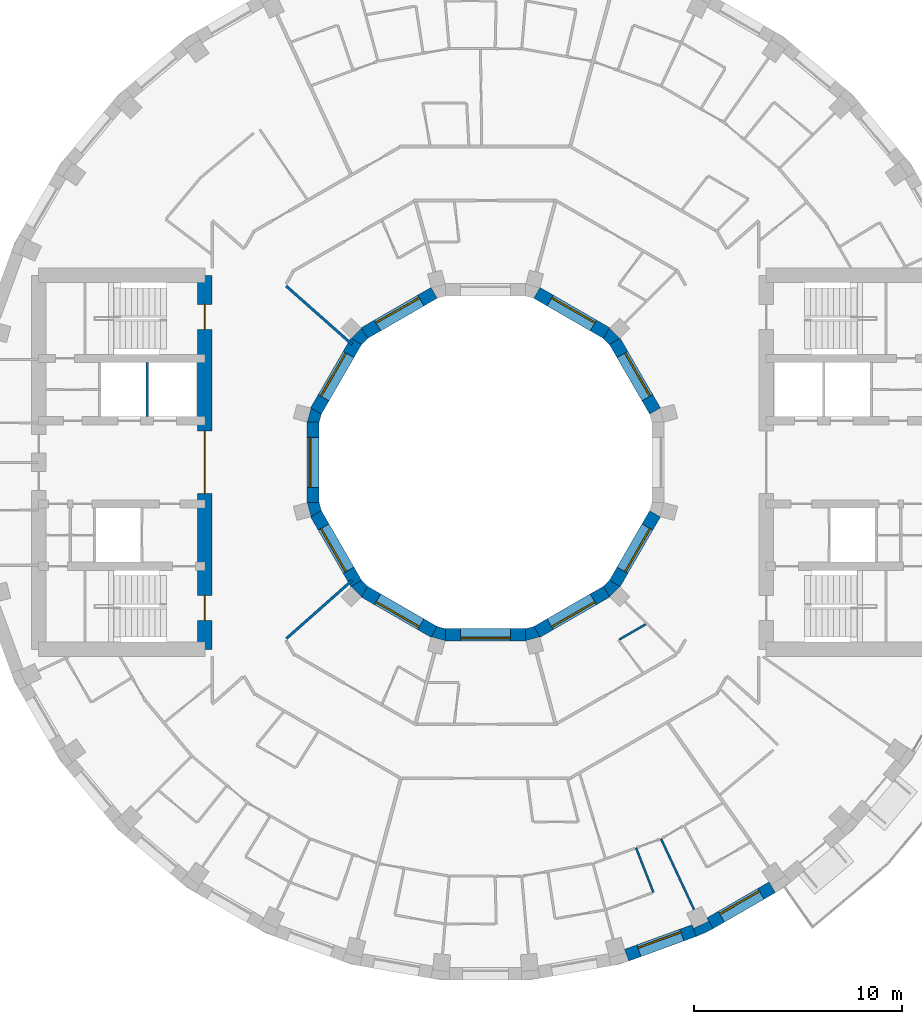
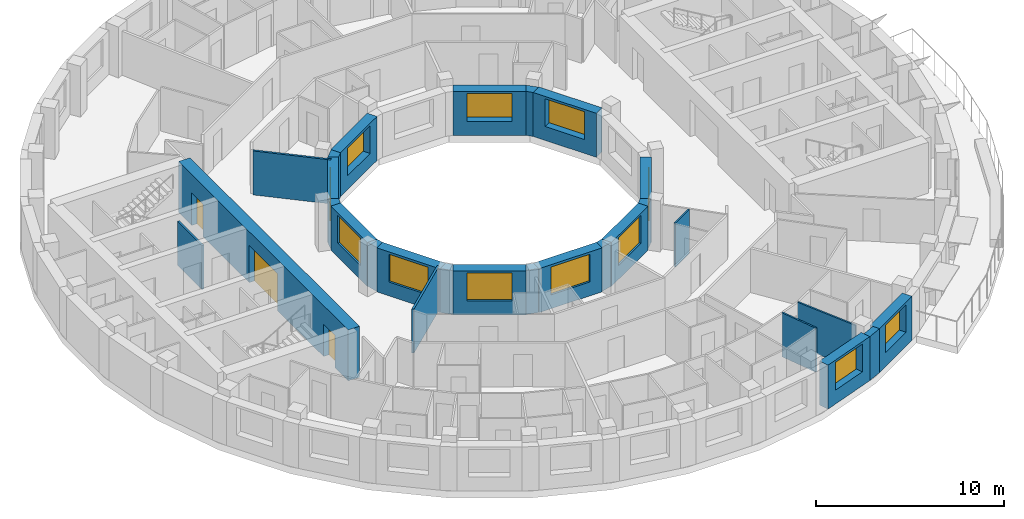
# One storey, part 7 of 14: 28 walls, 12 windows, 3 doors, 15 openings.
"""IFC4 building model written with IfcOpenShell, lengths in metres."""

from ifc_helpers import new_model, si_unit, direction, frame, frame_2d, origin, place, context, subcontext, project, spatial, polyline, rectangle, outline, extrude, material, layer, layer_set, type_object, element, fill, save


model = new_model("IFC4")

# Units and contexts
model_context = context("Model", 3, precision=1e-05, world=origin(), true_north=direction((0.0, 1.0)))
body_context = subcontext(model_context, "Body", "Model", "MODEL_VIEW")
ifc_project = project(units=[si_unit("LENGTHUNIT", "METRE"), si_unit("AREAUNIT", "SQUARE_METRE"), si_unit("VOLUMEUNIT", "CUBIC_METRE"), si_unit("PLANEANGLEUNIT", "RADIAN"), si_unit("MASSUNIT", "GRAM", prefix="KILO")], contexts=[model_context])

# Site, building, storey
site_placement = place(None, origin())
site = spatial("IfcSite", under=ifc_project, at=site_placement, CompositionType="ELEMENT")
building_placement = place(site_placement, origin())
building = spatial("IfcBuilding", under=site, at=building_placement, Name="Saqina Gate Tower", CompositionType="ELEMENT")
storey_placement = place(building_placement, frame((0.0, 0.0, 177.300048828125)))
storey = spatial("IfcBuildingStorey", under=building, at=storey_placement, Name="L50", CompositionType="ELEMENT", Elevation=177.300048828125)

# Wall
ifc_material_1 = material(Name="Brick masonry (buff)", Category="masonry")
wall_type_1 = type_object("IfcWallType", Name="BRICK PIER COPING BUFF", PredefinedType="SOLIDWALL", material=ifc_material_1)
wall_1_placement = place(storey_placement, origin())
element("IfcWall", 1, at=wall_1_placement, inside=storey, type_object=wall_type_1, Name="Pier cap L50 column 30", PredefinedType="SOLIDWALL", context=body_context, shape_type="SweptSolid", body=[
    extrude(outline(polyline([(10.958740234375, -22.4306640625), (10.65869140625, -21.9111328125), (10.73779296875, -22.080810546875), (10.0126953125, -22.4189453125), (9.93359375, -22.249267578125), (10.138916015625, -22.81298828125), (10.958740234375, -22.4306640625)])), origin(), (0.0, 0.0, 1.0), 2.849853515625),
])

# Wall, opening, window
ifc_material_2 = material(Name="Brick masonry (buff)", Category="masonry")
ifc_layer_1 = layer(ifc_material_2, 0.60009765625)
ifc_layer_set_1 = layer_set([ifc_layer_1], Name="FW-BRICK-BUFF")
wall_type_2 = type_object("IfcWallType", Name="FW-BRICK-BUFF", PredefinedType="SOLIDWALL", material=ifc_layer_set_1)
wall_2_placement = place(storey_placement, frame((6.79443359375, -23.7109375, 0.0), z_axis=(0.0, 0.0, 1.0), x_axis=(0.93968799822, 0.342032843455, 0.0)))
wall_2 = element("IfcWall", 2, at=wall_2_placement, inside=storey, type_object=wall_type_2, Name="Facade wall L50 facet 29", PredefinedType="SOLIDWALL", context=body_context, shape_type="SweptSolid", body=[
    extrude(rectangle(XDim=3.44970703125, YDim=0.60009765625, at=frame_2d((1.724853515625, 0.0))), origin(), (0.0, 0.0, 1.0), 2.849853515625),
])
opening_1_placement = place(wall_2_placement, frame((0.625, 0.0, 0.89990234375)))
opening_1 = element("IfcOpeningElement", 3, at=opening_1_placement, cuts=wall_2, Name="Opening G14-W22", PredefinedType="OPENING", context=body_context, shape_type="SweptSolid", body=[
    extrude(rectangle(XDim=2.199951171875, YDim=1.800048828125, at=frame_2d((1.10009765625, 0.89990234375))), frame((0.0, 0.31201171875, 0.0), z_axis=(0.0, -1.0, 0.0), x_axis=(1.0, 0.0, 0.0)), (0.0, 0.0, 1.0), 0.6240234375),
])
ifc_material_3 = material(Name="Aluminium glazing", Category="aluminium")
window_type_1 = type_object("IfcWindowType", Name="WN-C", PartitioningType="SINGLE_PANEL", PredefinedType="WINDOW", material=ifc_material_3)
window_1_placement = place(opening_1_placement, origin())
window_1 = element("IfcWindow", 4, at=window_1_placement, inside=storey, type_object=window_type_1, Name="Window L50 facet 29", OverallHeight=1.800048828125, OverallWidth=2.199951171875, PartitioningType="SINGLE_PANEL", PredefinedType="WINDOW", context=body_context, shape_type="SweptSolid", body=[
    extrude(rectangle(XDim=2.199951171875, YDim=1.800048828125, at=frame_2d((1.10009765625, 0.89990234375))), frame((0.0, 0.179931640625, 0.0), z_axis=(0.0, -1.0, 0.0), x_axis=(1.0, 0.0, 0.0)), (0.0, 0.0, 1.0), 0.06005859375),
])
fill(opening_1, window_1)

wall_3_placement = place(storey_placement, frame((10.80859375, -22.1708984375, 0.0), z_axis=(0.0, 0.0, 1.0), x_axis=(0.86602648383, 0.499998129301, 0.0)))
wall_3 = element("IfcWall", 5, at=wall_3_placement, inside=storey, type_object=wall_type_2, Name="Facade wall L50 facet 30", PredefinedType="SOLIDWALL", context=body_context, shape_type="SweptSolid", body=[
    extrude(rectangle(XDim=3.44970703125, YDim=0.60009765625, at=frame_2d((1.724853515625, 0.0))), origin(), (0.0, 0.0, 1.0), 2.849853515625),
])
opening_2_placement = place(wall_3_placement, frame((0.625, 0.0, 0.89990234375)))
opening_2 = element("IfcOpeningElement", 6, at=opening_2_placement, cuts=wall_3, Name="Opening G14-W23", PredefinedType="OPENING", context=body_context, shape_type="SweptSolid", body=[
    extrude(rectangle(XDim=2.199951171875, YDim=1.800048828125, at=frame_2d((1.10009765625, 0.89990234375))), frame((0.0, 0.31201171875, 0.0), z_axis=(0.0, -1.0, 0.0), x_axis=(1.0, 0.0, 0.0)), (0.0, 0.0, 1.0), 0.6240234375),
])
window_2_placement = place(opening_2_placement, origin())
window_2 = element("IfcWindow", 7, at=window_2_placement, inside=storey, type_object=window_type_1, Name="Window L50 facet 30", OverallHeight=1.800048828125, OverallWidth=2.199951171875, PartitioningType="SINGLE_PANEL", PredefinedType="WINDOW", context=body_context, shape_type="SweptSolid", body=[
    extrude(rectangle(XDim=2.199951171875, YDim=1.800048828125, at=frame_2d((1.10009765625, 0.89990234375))), frame((0.0, 0.179931640625, 0.0), z_axis=(0.0, -1.0, 0.0), x_axis=(1.0, 0.0, 0.0)), (0.0, 0.0, 1.0), 0.06005859375),
])
fill(opening_2, window_2)

ifc_material_4 = material(Name="Glazed ceramic tile", Category="ceramic")
ifc_layer_2 = layer(ifc_material_4, 0.60009765625)
ifc_layer_set_2 = layer_set([ifc_layer_2], Name="IW-TILE")
wall_type_3 = type_object("IfcWallType", Name="IW-TILE", PredefinedType="SOLIDWALL", material=ifc_layer_set_2)
wall_4_placement = place(storey_placement, frame((8.155517578125, 2.474365234375, 0.0), z_axis=(0.0, 0.0, 1.0), x_axis=(-0.500033728941, 0.866005929495, 0.0)))
wall_4 = element("IfcWall", 8, at=wall_4_placement, inside=storey, type_object=wall_type_3, Name="Well wall L50 facet 1", PredefinedType="SOLIDWALL", context=body_context, shape_type="SweptSolid", body=[
    extrude(rectangle(XDim=3.869873046875, YDim=0.60009765625, at=frame_2d((1.93505859375, 0.0))), origin(), (0.0, 0.0, 1.0), 2.849853515625),
])
opening_3_placement = place(wall_4_placement, frame((0.73486328125, 0.0, 0.89990234375)))
opening_3 = element("IfcOpeningElement", 9, at=opening_3_placement, cuts=wall_4, Name="Opening G14-W24", PredefinedType="OPENING", context=body_context, shape_type="SweptSolid", body=[
    extrude(rectangle(XDim=2.39990234375, YDim=1.800048828125, at=frame_2d((1.199951171875, 0.89990234375))), frame((0.0, 0.31201171875, 0.0), z_axis=(0.0, -1.0, 0.0), x_axis=(1.0, 0.0, 0.0)), (0.0, 0.0, 1.0), 0.6240234375),
])
ifc_material_5 = material(Name="Aluminium glazing", Category="aluminium")
window_type_2 = type_object("IfcWindowType", Name="WN-W", PartitioningType="SINGLE_PANEL", PredefinedType="WINDOW", material=ifc_material_5)
window_3_placement = place(opening_3_placement, origin())
window_3 = element("IfcWindow", 10, at=window_3_placement, inside=storey, type_object=window_type_2, Name="Well window L50 facet 1", OverallHeight=1.800048828125, OverallWidth=2.39990234375, PartitioningType="SINGLE_PANEL", PredefinedType="WINDOW", context=body_context, shape_type="SweptSolid", body=[
    extrude(rectangle(XDim=2.39990234375, YDim=1.800048828125, at=frame_2d((1.199951171875, 0.89990234375))), frame((0.0, -0.119873046875, 0.0), z_axis=(0.0, -1.0, 0.0), x_axis=(1.0, 0.0, 0.0)), (0.0, 0.0, 1.0), 0.06005859375),
])
fill(opening_3, window_3)

wall_5_placement = place(storey_placement, frame((5.82568359375, 6.220458984375, 0.0), z_axis=(0.0, 0.0, 1.0), x_axis=(-0.866005929495, 0.500033728941, 0.0)))
wall_5 = element("IfcWall", 11, at=wall_5_placement, inside=storey, type_object=wall_type_3, Name="Well wall L50 facet 2", PredefinedType="SOLIDWALL", context=body_context, shape_type="SweptSolid", body=[
    extrude(rectangle(XDim=3.869873046875, YDim=0.60009765625, at=frame_2d((1.93505859375, 0.0))), origin(), (0.0, 0.0, 1.0), 2.849853515625),
])
opening_4_placement = place(wall_5_placement, frame((0.73486328125, 0.0, 0.89990234375)))
opening_4 = element("IfcOpeningElement", 12, at=opening_4_placement, cuts=wall_5, Name="Opening G14-W25", PredefinedType="OPENING", context=body_context, shape_type="SweptSolid", body=[
    extrude(rectangle(XDim=2.39990234375, YDim=1.800048828125, at=frame_2d((1.199951171875, 0.89990234375))), frame((0.0, 0.31201171875, 0.0), z_axis=(0.0, -1.0, 0.0), x_axis=(1.0, 0.0, 0.0)), (0.0, 0.0, 1.0), 0.6240234375),
])
window_4_placement = place(opening_4_placement, origin())
window_4 = element("IfcWindow", 13, at=window_4_placement, inside=storey, type_object=window_type_2, Name="Well window L50 facet 2", OverallHeight=1.800048828125, OverallWidth=2.39990234375, PartitioningType="SINGLE_PANEL", PredefinedType="WINDOW", context=body_context, shape_type="SweptSolid", body=[
    extrude(rectangle(XDim=2.39990234375, YDim=1.800048828125, at=frame_2d((1.199951171875, 0.89990234375))), frame((0.0, -0.119873046875, 0.0), z_axis=(0.0, -1.0, 0.0), x_axis=(1.0, 0.0, 0.0)), (0.0, 0.0, 1.0), 0.06005859375),
])
fill(opening_4, window_4)

wall_6_placement = place(storey_placement, frame((-2.474365234375, 8.155517578125, 0.0), z_axis=(0.0, 0.0, 1.0), x_axis=(-0.866005929495, -0.500033728941, 0.0)))
wall_6 = element("IfcWall", 14, at=wall_6_placement, inside=storey, type_object=wall_type_3, Name="Well wall L50 facet 4", PredefinedType="SOLIDWALL", context=body_context, shape_type="SweptSolid", body=[
    extrude(rectangle(XDim=3.869873046875, YDim=0.60009765625, at=frame_2d((1.93505859375, 0.0))), origin(), (0.0, 0.0, 1.0), 2.849853515625),
])
opening_5_placement = place(wall_6_placement, frame((0.73486328125, 0.0, 0.89990234375)))
opening_5 = element("IfcOpeningElement", 15, at=opening_5_placement, cuts=wall_6, Name="Opening G14-W27", PredefinedType="OPENING", context=body_context, shape_type="SweptSolid", body=[
    extrude(rectangle(XDim=2.39990234375, YDim=1.800048828125, at=frame_2d((1.199951171875, 0.89990234375))), frame((0.0, 0.31201171875, 0.0), z_axis=(0.0, -1.0, 0.0), x_axis=(1.0, 0.0, 0.0)), (0.0, 0.0, 1.0), 0.6240234375),
])
window_5_placement = place(opening_5_placement, origin())
window_5 = element("IfcWindow", 16, at=window_5_placement, inside=storey, type_object=window_type_2, Name="Well window L50 facet 4", OverallHeight=1.800048828125, OverallWidth=2.39990234375, PartitioningType="SINGLE_PANEL", PredefinedType="WINDOW", context=body_context, shape_type="SweptSolid", body=[
    extrude(rectangle(XDim=2.39990234375, YDim=1.800048828125, at=frame_2d((1.199951171875, 0.89990234375))), frame((0.0, -0.119873046875, 0.0), z_axis=(0.0, -1.0, 0.0), x_axis=(1.0, 0.0, 0.0)), (0.0, 0.0, 1.0), 0.06005859375),
])
fill(opening_5, window_5)

wall_7_placement = place(storey_placement, frame((-6.220458984375, 5.82568359375, 0.0), z_axis=(0.0, 0.0, 1.0), x_axis=(-0.500033728941, -0.866005929495, 0.0)))
wall_7 = element("IfcWall", 17, at=wall_7_placement, inside=storey, type_object=wall_type_3, Name="Well wall L50 facet 5", PredefinedType="SOLIDWALL", context=body_context, shape_type="SweptSolid", body=[
    extrude(rectangle(XDim=3.869873046875, YDim=0.60009765625, at=frame_2d((1.93505859375, 0.0))), origin(), (0.0, 0.0, 1.0), 2.849853515625),
])
opening_6_placement = place(wall_7_placement, frame((0.73486328125, 0.0, 0.89990234375)))
opening_6 = element("IfcOpeningElement", 18, at=opening_6_placement, cuts=wall_7, Name="Opening G14-W28", PredefinedType="OPENING", context=body_context, shape_type="SweptSolid", body=[
    extrude(rectangle(XDim=2.39990234375, YDim=1.800048828125, at=frame_2d((1.199951171875, 0.89990234375))), frame((0.0, 0.31201171875, 0.0), z_axis=(0.0, -1.0, 0.0), x_axis=(1.0, 0.0, 0.0)), (0.0, 0.0, 1.0), 0.6240234375),
])
window_6_placement = place(opening_6_placement, origin())
window_6 = element("IfcWindow", 19, at=window_6_placement, inside=storey, type_object=window_type_2, Name="Well window L50 facet 5", OverallHeight=1.800048828125, OverallWidth=2.39990234375, PartitioningType="SINGLE_PANEL", PredefinedType="WINDOW", context=body_context, shape_type="SweptSolid", body=[
    extrude(rectangle(XDim=2.39990234375, YDim=1.800048828125, at=frame_2d((1.199951171875, 0.89990234375))), frame((0.0, -0.119873046875, 0.0), z_axis=(0.0, -1.0, 0.0), x_axis=(1.0, 0.0, 0.0)), (0.0, 0.0, 1.0), 0.06005859375),
])
fill(opening_6, window_6)

wall_8_placement = place(storey_placement, frame((-8.300048828125, 1.934814453125, 0.0), z_axis=(0.0, 0.0, 1.0), x_axis=(0.0, -1.0, 0.0)))
wall_8 = element("IfcWall", 20, at=wall_8_placement, inside=storey, type_object=wall_type_3, Name="Well wall L50 facet 6", PredefinedType="SOLIDWALL", context=body_context, shape_type="SweptSolid", body=[
    extrude(rectangle(XDim=3.86962890625, YDim=0.60009765625, at=frame_2d((1.934814453125, 0.0))), origin(), (0.0, 0.0, 1.0), 2.849853515625),
])
opening_7_placement = place(wall_8_placement, frame((0.73486328125, 0.0, 0.89990234375)))
opening_7 = element("IfcOpeningElement", 21, at=opening_7_placement, cuts=wall_8, Name="Opening G14-W29", PredefinedType="OPENING", context=body_context, shape_type="SweptSolid", body=[
    extrude(rectangle(XDim=2.39990234375, YDim=1.800048828125, at=frame_2d((1.199951171875, 0.89990234375))), frame((0.0, 0.31201171875, 0.0), z_axis=(0.0, -1.0, 0.0), x_axis=(1.0, 0.0, 0.0)), (0.0, 0.0, 1.0), 0.6240234375),
])
window_7_placement = place(opening_7_placement, origin())
window_7 = element("IfcWindow", 22, at=window_7_placement, inside=storey, type_object=window_type_2, Name="Well window L50 facet 6", OverallHeight=1.800048828125, OverallWidth=2.39990234375, PartitioningType="SINGLE_PANEL", PredefinedType="WINDOW", context=body_context, shape_type="SweptSolid", body=[
    extrude(rectangle(XDim=2.39990234375, YDim=1.800048828125, at=frame_2d((1.199951171875, 0.89990234375))), frame((0.0, -0.119873046875, 0.0), z_axis=(0.0, -1.0, 0.0), x_axis=(1.0, 0.0, 0.0)), (0.0, 0.0, 1.0), 0.06005859375),
])
fill(opening_7, window_7)

wall_9_placement = place(storey_placement, frame((-8.155517578125, -2.474365234375, 0.0), z_axis=(0.0, 0.0, 1.0), x_axis=(0.500033728941, -0.866005929495, 0.0)))
wall_9 = element("IfcWall", 23, at=wall_9_placement, inside=storey, type_object=wall_type_3, Name="Well wall L50 facet 7", PredefinedType="SOLIDWALL", context=body_context, shape_type="SweptSolid", body=[
    extrude(rectangle(XDim=3.869873046875, YDim=0.60009765625, at=frame_2d((1.93505859375, 0.0))), origin(), (0.0, 0.0, 1.0), 2.849853515625),
])
opening_8_placement = place(wall_9_placement, frame((0.73486328125, 0.0, 0.89990234375)))
opening_8 = element("IfcOpeningElement", 24, at=opening_8_placement, cuts=wall_9, Name="Opening G14-W30", PredefinedType="OPENING", context=body_context, shape_type="SweptSolid", body=[
    extrude(rectangle(XDim=2.39990234375, YDim=1.800048828125, at=frame_2d((1.199951171875, 0.89990234375))), frame((0.0, 0.31201171875, 0.0), z_axis=(0.0, -1.0, 0.0), x_axis=(1.0, 0.0, 0.0)), (0.0, 0.0, 1.0), 0.6240234375),
])
window_8_placement = place(opening_8_placement, origin())
window_8 = element("IfcWindow", 25, at=window_8_placement, inside=storey, type_object=window_type_2, Name="Well window L50 facet 7", OverallHeight=1.800048828125, OverallWidth=2.39990234375, PartitioningType="SINGLE_PANEL", PredefinedType="WINDOW", context=body_context, shape_type="SweptSolid", body=[
    extrude(rectangle(XDim=2.39990234375, YDim=1.800048828125, at=frame_2d((1.199951171875, 0.89990234375))), frame((0.0, -0.119873046875, 0.0), z_axis=(0.0, -1.0, 0.0), x_axis=(1.0, 0.0, 0.0)), (0.0, 0.0, 1.0), 0.06005859375),
])
fill(opening_8, window_8)

wall_10_placement = place(storey_placement, frame((-5.82568359375, -6.220458984375, 0.0), z_axis=(0.0, 0.0, 1.0), x_axis=(0.866005929495, -0.500033728941, 0.0)))
wall_10 = element("IfcWall", 26, at=wall_10_placement, inside=storey, type_object=wall_type_3, Name="Well wall L50 facet 8", PredefinedType="SOLIDWALL", context=body_context, shape_type="SweptSolid", body=[
    extrude(rectangle(XDim=3.869873046875, YDim=0.60009765625, at=frame_2d((1.93505859375, 0.0))), origin(), (0.0, 0.0, 1.0), 2.849853515625),
])
opening_9_placement = place(wall_10_placement, frame((0.73486328125, 0.0, 0.89990234375)))
opening_9 = element("IfcOpeningElement", 27, at=opening_9_placement, cuts=wall_10, Name="Opening G14-W31", PredefinedType="OPENING", context=body_context, shape_type="SweptSolid", body=[
    extrude(rectangle(XDim=2.39990234375, YDim=1.800048828125, at=frame_2d((1.199951171875, 0.89990234375))), frame((0.0, 0.31201171875, 0.0), z_axis=(0.0, -1.0, 0.0), x_axis=(1.0, 0.0, 0.0)), (0.0, 0.0, 1.0), 0.6240234375),
])
window_9_placement = place(opening_9_placement, origin())
window_9 = element("IfcWindow", 28, at=window_9_placement, inside=storey, type_object=window_type_2, Name="Well window L50 facet 8", OverallHeight=1.800048828125, OverallWidth=2.39990234375, PartitioningType="SINGLE_PANEL", PredefinedType="WINDOW", context=body_context, shape_type="SweptSolid", body=[
    extrude(rectangle(XDim=2.39990234375, YDim=1.800048828125, at=frame_2d((1.199951171875, 0.89990234375))), frame((0.0, -0.119873046875, 0.0), z_axis=(0.0, -1.0, 0.0), x_axis=(1.0, 0.0, 0.0)), (0.0, 0.0, 1.0), 0.06005859375),
])
fill(opening_9, window_9)

wall_11_placement = place(storey_placement, frame((-1.934814453125, -8.300048828125, 0.0), z_axis=(0.0, 0.0, 1.0), x_axis=(1.0, 0.0, 0.0)))
wall_11 = element("IfcWall", 29, at=wall_11_placement, inside=storey, type_object=wall_type_3, Name="Well wall L50 facet 9", PredefinedType="SOLIDWALL", context=body_context, shape_type="SweptSolid", body=[
    extrude(rectangle(XDim=3.86962890625, YDim=0.60009765625, at=frame_2d((1.934814453125, 0.0))), origin(), (0.0, 0.0, 1.0), 2.849853515625),
])
opening_10_placement = place(wall_11_placement, frame((0.73486328125, 0.0, 0.89990234375)))
opening_10 = element("IfcOpeningElement", 30, at=opening_10_placement, cuts=wall_11, Name="Opening G14-W32", PredefinedType="OPENING", context=body_context, shape_type="SweptSolid", body=[
    extrude(rectangle(XDim=2.39990234375, YDim=1.800048828125, at=frame_2d((1.199951171875, 0.89990234375))), frame((0.0, 0.31201171875, 0.0), z_axis=(0.0, -1.0, 0.0), x_axis=(1.0, 0.0, 0.0)), (0.0, 0.0, 1.0), 0.6240234375),
])
window_10_placement = place(opening_10_placement, origin())
window_10 = element("IfcWindow", 31, at=window_10_placement, inside=storey, type_object=window_type_2, Name="Well window L50 facet 9", OverallHeight=1.800048828125, OverallWidth=2.39990234375, PartitioningType="SINGLE_PANEL", PredefinedType="WINDOW", context=body_context, shape_type="SweptSolid", body=[
    extrude(rectangle(XDim=2.39990234375, YDim=1.800048828125, at=frame_2d((1.199951171875, 0.89990234375))), frame((0.0, -0.119873046875, 0.0), z_axis=(0.0, -1.0, 0.0), x_axis=(1.0, 0.0, 0.0)), (0.0, 0.0, 1.0), 0.06005859375),
])
fill(opening_10, window_10)

wall_12_placement = place(storey_placement, frame((2.474365234375, -8.155517578125, 0.0), z_axis=(0.0, 0.0, 1.0), x_axis=(0.866005929495, 0.500033728941, 0.0)))
wall_12 = element("IfcWall", 32, at=wall_12_placement, inside=storey, type_object=wall_type_3, Name="Well wall L50 facet 10", PredefinedType="SOLIDWALL", context=body_context, shape_type="SweptSolid", body=[
    extrude(rectangle(XDim=3.869873046875, YDim=0.60009765625, at=frame_2d((1.93505859375, 0.0))), origin(), (0.0, 0.0, 1.0), 2.849853515625),
])
opening_11_placement = place(wall_12_placement, frame((0.73486328125, 0.0, 0.89990234375)))
opening_11 = element("IfcOpeningElement", 33, at=opening_11_placement, cuts=wall_12, Name="Opening G14-W33", PredefinedType="OPENING", context=body_context, shape_type="SweptSolid", body=[
    extrude(rectangle(XDim=2.39990234375, YDim=1.800048828125, at=frame_2d((1.199951171875, 0.89990234375))), frame((0.0, 0.31201171875, 0.0), z_axis=(0.0, -1.0, 0.0), x_axis=(1.0, 0.0, 0.0)), (0.0, 0.0, 1.0), 0.6240234375),
])
window_11_placement = place(opening_11_placement, origin())
window_11 = element("IfcWindow", 34, at=window_11_placement, inside=storey, type_object=window_type_2, Name="Well window L50 facet 10", OverallHeight=1.800048828125, OverallWidth=2.39990234375, PartitioningType="SINGLE_PANEL", PredefinedType="WINDOW", context=body_context, shape_type="SweptSolid", body=[
    extrude(rectangle(XDim=2.39990234375, YDim=1.800048828125, at=frame_2d((1.199951171875, 0.89990234375))), frame((0.0, -0.119873046875, 0.0), z_axis=(0.0, -1.0, 0.0), x_axis=(1.0, 0.0, 0.0)), (0.0, 0.0, 1.0), 0.06005859375),
])
fill(opening_11, window_11)

wall_13_placement = place(storey_placement, frame((6.220458984375, -5.82568359375, 0.0), z_axis=(0.0, 0.0, 1.0), x_axis=(0.500033728941, 0.866005929495, 0.0)))
wall_13 = element("IfcWall", 35, at=wall_13_placement, inside=storey, type_object=wall_type_3, Name="Well wall L50 facet 11", PredefinedType="SOLIDWALL", context=body_context, shape_type="SweptSolid", body=[
    extrude(rectangle(XDim=3.869873046875, YDim=0.60009765625, at=frame_2d((1.93505859375, 0.0))), origin(), (0.0, 0.0, 1.0), 2.849853515625),
])
opening_12_placement = place(wall_13_placement, frame((0.73486328125, 0.0, 0.89990234375)))
opening_12 = element("IfcOpeningElement", 36, at=opening_12_placement, cuts=wall_13, Name="Opening G14-W34", PredefinedType="OPENING", context=body_context, shape_type="SweptSolid", body=[
    extrude(rectangle(XDim=2.39990234375, YDim=1.800048828125, at=frame_2d((1.199951171875, 0.89990234375))), frame((0.0, 0.31201171875, 0.0), z_axis=(0.0, -1.0, 0.0), x_axis=(1.0, 0.0, 0.0)), (0.0, 0.0, 1.0), 0.6240234375),
])
window_12_placement = place(opening_12_placement, origin())
window_12 = element("IfcWindow", 37, at=window_12_placement, inside=storey, type_object=window_type_2, Name="Well window L50 facet 11", OverallHeight=1.800048828125, OverallWidth=2.39990234375, PartitioningType="SINGLE_PANEL", PredefinedType="WINDOW", context=body_context, shape_type="SweptSolid", body=[
    extrude(rectangle(XDim=2.39990234375, YDim=1.800048828125, at=frame_2d((1.199951171875, 0.89990234375))), frame((0.0, -0.119873046875, 0.0), z_axis=(0.0, -1.0, 0.0), x_axis=(1.0, 0.0, 0.0)), (0.0, 0.0, 1.0), 0.06005859375),
])
fill(opening_12, window_12)

# Walls
ifc_material_6 = material(Name="Gypsum board on steel studs, 100 mm", Category="steel")
ifc_layer_3 = layer(ifc_material_6, 0.10009765625)
ifc_layer_set_3 = layer_set([ifc_layer_3], Name="PARTITION 100")
wall_type_4 = type_object("IfcWallType", Name="PARTITION 100", PredefinedType="PARTITIONING", material=ifc_layer_set_3)
wall_14_placement = place(storey_placement, frame((7.242919921875, -18.5458984375, 0.0), z_axis=(0.0, 0.0, 1.0), x_axis=(0.363859158163, -0.93145397794, 0.0)))
element("IfcWall", 38, at=wall_14_placement, inside=storey, type_object=wall_type_4, Name="PARTITION PW3-16", PredefinedType="PARTITIONING", context=body_context, shape_type="SweptSolid", body=[
    extrude(rectangle(XDim=2.30078125, YDim=0.10009765625, at=frame_2d((1.150390625, 0.0))), origin(), (0.0, 0.0, 1.0), 2.849853515625),
])
wall_15_placement = place(storey_placement, frame((8.444091796875, -18.10888671875, 0.0), z_axis=(0.0, 0.0, 1.0), x_axis=(0.422654355883, -0.906290955186, 0.0)))
element("IfcWall", 39, at=wall_15_placement, inside=storey, type_object=wall_type_4, Name="PARTITION PW3-18", PredefinedType="PARTITIONING", context=body_context, shape_type="SweptSolid", body=[
    extrude(rectangle(XDim=3.75927734375, YDim=0.10009765625, at=frame_2d((1.879638671875, 0.0))), origin(), (0.0, 0.0, 1.0), 2.849853515625),
])
wall_16_placement = place(storey_placement, frame((6.4404296875, -8.52099609375, 0.0), z_axis=(0.0, 0.0, 1.0), x_axis=(0.866268331141, 0.499579001222, 0.0)))
element("IfcWall", 40, at=wall_16_placement, inside=storey, type_object=wall_type_4, Name="PARTITION PW3-70", PredefinedType="PARTITIONING", context=body_context, shape_type="SweptSolid", body=[
    extrude(rectangle(XDim=1.473388671875, YDim=0.10009765625, at=frame_2d((0.73681640625, 0.0))), origin(), (0.0, 0.0, 1.0), 2.849853515625),
])
ifc_material_7 = material(Name="Gypsum board on steel studs, 125 mm, fire rated", Category="steel")
ifc_layer_4 = layer(ifc_material_7, 0.125)
ifc_layer_set_4 = layer_set([ifc_layer_4], Name="PARTITION EI 30 125")
wall_type_5 = type_object("IfcWallType", Name="PARTITION EI 30 125", PredefinedType="PARTITIONING", material=ifc_layer_set_4)
for number, where, z_axis, x_axis, name in (
    (41, (-9.5849609375, 8.47998046875, 0.0), (0.0, 0.0, 1.0), (0.748972302021, -0.662601306069, 0.0), "PARTITION PW1-11"),
    (42, (-9.5849609375, -8.47998046875, 0.0), (0.0, 0.0, 1.0), (0.748972302021, 0.662601306069, 0.0), "PARTITION PW1-43"),
):
    element("IfcWall", number, at=place(storey_placement, frame(where, z_axis=z_axis, x_axis=x_axis)), inside=storey, type_object=wall_type_5, Name=name, PredefinedType="PARTITIONING", context=body_context, shape_type="SweptSolid", body=[
        extrude(rectangle(XDim=4.225830078125, YDim=0.125, at=frame_2d((2.11279296875, 0.0))), origin(), (0.0, 0.0, 1.0), 2.849853515625),
    ])
ifc_material_8 = material(Name="Autoclaved aerated concrete block", Category="concrete")
ifc_layer_5 = layer(ifc_material_8, 0.1201171875)
ifc_layer_set_5 = layer_set([ifc_layer_5], Name="SHAFT PARTITION")
wall_type_6 = type_object("IfcWallType", Name="SHAFT PARTITION", PredefinedType="PARTITIONING", material=ifc_layer_set_5)
wall_17_placement = place(storey_placement, frame((-16.280029296875, 2.199951171875, 0.0), z_axis=(0.0, 0.0, 1.0), x_axis=(0.0, 1.0, 0.0)))
element("IfcWall", 43, at=wall_17_placement, inside=storey, type_object=wall_type_6, Name="L50-CP-W06", PredefinedType="PARTITIONING", context=body_context, shape_type="SweptSolid", body=[
    extrude(rectangle(XDim=2.60009765625, YDim=0.1201171875, at=frame_2d((1.300048828125, 0.0))), origin(), (0.0, 0.0, 1.0), 2.849853515625),
])

# Wall, openings, doors
ifc_material_9 = material(Name="Concrete C60/75", Category="concrete")
ifc_layer_6 = layer(ifc_material_9, 0.699951171875)
ifc_layer_set_6 = layer_set([ifc_layer_6], Name="Concrete C60/75")
wall_type_7 = type_object("IfcWallType", Name="STR-CORE WALL-C-O", PredefinedType="SHEAR", material=ifc_layer_set_6)
wall_18_placement = place(storey_placement, frame((-13.5, -9.0, 0.0), z_axis=(0.0, 0.0, 1.0), x_axis=(0.0, 1.0, 0.0)))
wall_18 = element("IfcWall", 44, at=wall_18_placement, inside=storey, type_object=wall_type_7, Name="CORE WALL L50 W-W1", PredefinedType="SHEAR", context=body_context, shape_type="SweptSolid", body=[
    extrude(rectangle(XDim=18.0, YDim=0.699951171875, at=frame_2d((9.0, 0.0))), origin(), (0.0, 0.0, 1.0), 3.300048828125),
])
opening_13_placement = place(wall_18_placement, frame((15.39990234375, 0.0, 0.0)))
opening_13 = element("IfcOpeningElement", 45, at=opening_13_placement, cuts=wall_18, Name="Opening G14-D121", PredefinedType="OPENING", context=body_context, shape_type="SweptSolid", body=[
    extrude(rectangle(XDim=1.199951171875, YDim=2.10009765625, at=frame_2d((0.60009765625, 1.050048828125))), frame((0.0, 0.362060546875, 0.0), z_axis=(0.0, -1.0, 0.0), x_axis=(1.0, 0.0, 0.0)), (0.0, 0.0, 1.0), 0.723876953125),
])
opening_14_placement = place(wall_18_placement, frame((1.39990234375, 0.0, 0.0)))
opening_14 = element("IfcOpeningElement", 46, at=opening_14_placement, cuts=wall_18, Name="Opening G14-D122", PredefinedType="OPENING", context=body_context, shape_type="SweptSolid", body=[
    extrude(rectangle(XDim=1.199951171875, YDim=2.10009765625, at=frame_2d((0.60009765625, 1.050048828125))), frame((0.0, 0.362060546875, 0.0), z_axis=(0.0, -1.0, 0.0), x_axis=(1.0, 0.0, 0.0)), (0.0, 0.0, 1.0), 0.723876953125),
])
opening_15_placement = place(wall_18_placement, frame((7.5, 0.0, 0.0)))
opening_15 = element("IfcOpeningElement", 47, at=opening_15_placement, cuts=wall_18, Name="Opening G14-D123", PredefinedType="OPENING", context=body_context, shape_type="SweptSolid", body=[
    extrude(rectangle(XDim=3.0, YDim=2.39990234375, at=frame_2d((1.5, 1.199951171875))), frame((0.0, 0.362060546875, 0.0), z_axis=(0.0, -1.0, 0.0), x_axis=(1.0, 0.0, 0.0)), (0.0, 0.0, 1.0), 0.723876953125),
])
ifc_material_10 = material(Name="Steel", Category="steel")
door_type_1 = type_object("IfcDoorType", Name="FIRE DOOR EI 60", OperationType="SINGLE_SWING_LEFT", PredefinedType="DOOR", material=ifc_material_10)
door_1_placement = place(opening_13_placement, origin())
door_1 = element("IfcDoor", 48, at=door_1_placement, inside=storey, type_object=door_type_1, Name="L50-CD-W32", OperationType="SINGLE_SWING_RIGHT", OverallHeight=2.10009765625, OverallWidth=1.199951171875, PredefinedType="DOOR", context=body_context, shape_type="SweptSolid", body=[
    extrude(rectangle(XDim=1.199951171875, YDim=2.10009765625, at=frame_2d((0.60009765625, 1.050048828125))), frame((0.0, 0.02490234375, 0.0), z_axis=(0.0, -1.0, 0.0), x_axis=(1.0, 0.0, 0.0)), (0.0, 0.0, 1.0), 0.050048828125),
])
fill(opening_13, door_1)
door_2_placement = place(opening_14_placement, origin())
door_2 = element("IfcDoor", 49, at=door_2_placement, inside=storey, type_object=door_type_1, Name="L50-CD-W33", OperationType="SINGLE_SWING_LEFT", OverallHeight=2.10009765625, OverallWidth=1.199951171875, PredefinedType="DOOR", context=body_context, shape_type="SweptSolid", body=[
    extrude(rectangle(XDim=1.199951171875, YDim=2.10009765625, at=frame_2d((0.60009765625, 1.050048828125))), frame((0.0, 0.02490234375, 0.0), z_axis=(0.0, -1.0, 0.0), x_axis=(1.0, 0.0, 0.0)), (0.0, 0.0, 1.0), 0.050048828125),
])
fill(opening_14, door_2)
ifc_material_11 = material(Name="Steel and fire-resisting glass", Category="steel")
door_type_2 = type_object("IfcDoorType", Name="LOBBY SCREEN DOOR", OperationType="DOUBLE_DOOR_SLIDING", PredefinedType="DOOR", material=ifc_material_11)
door_3_placement = place(opening_15_placement, origin())
door_3 = element("IfcDoor", 50, at=door_3_placement, inside=storey, type_object=door_type_2, Name="L50-CD-W34", OperationType="DOUBLE_DOOR_SLIDING", OverallHeight=2.39990234375, OverallWidth=3.0, PredefinedType="DOOR", context=body_context, shape_type="SweptSolid", body=[
    extrude(rectangle(XDim=3.0, YDim=2.39990234375, at=frame_2d((1.5, 1.199951171875))), frame((0.0, 0.02490234375, 0.0), z_axis=(0.0, -1.0, 0.0), x_axis=(1.0, 0.0, 0.0)), (0.0, 0.0, 1.0), 0.050048828125),
])
fill(opening_15, door_3)

# Walls
ifc_material_12 = material(Name="Glazed ceramic tile", Category="ceramic")
wall_type_8 = type_object("IfcWallType", Name="TILE PIER COPING", PredefinedType="SOLIDWALL", material=ifc_material_12)
wall_19_placement = place(storey_placement, origin())
element("IfcWall", 51, at=wall_19_placement, inside=storey, type_object=wall_type_8, Name="Well pier cap L50 column 2", PredefinedType="SOLIDWALL", context=body_context, shape_type="SweptSolid", body=[
    extrude(outline(polyline([(5.96240234375, 6.45751953125), (5.67578125, 5.960693359375), (5.960693359375, 5.67578125), (6.45751953125, 5.96240234375), (5.96240234375, 6.45751953125)])), origin(), (0.0, 0.0, 1.0), 2.849853515625),
])
wall_20_placement = place(storey_placement, origin())
element("IfcWall", 52, at=wall_20_placement, inside=storey, type_object=wall_type_8, Name="Well pier cap L50 column 5", PredefinedType="SOLIDWALL", context=body_context, shape_type="SweptSolid", body=[
    extrude(outline(polyline([(-6.45751953125, 5.96240234375), (-5.960693359375, 5.67578125), (-5.67578125, 5.960693359375), (-5.96240234375, 6.45751953125), (-6.45751953125, 5.96240234375)])), origin(), (0.0, 0.0, 1.0), 2.849853515625),
])
wall_21_placement = place(storey_placement, origin())
element("IfcWall", 53, at=wall_21_placement, inside=storey, type_object=wall_type_8, Name="Well pier cap L50 column 6", PredefinedType="SOLIDWALL", context=body_context, shape_type="SweptSolid", body=[
    extrude(outline(polyline([(-8.573486328125, 1.934814453125), (-8.0, 1.934814453125), (-7.895751953125, 2.32421875), (-8.392333984375, 2.611083984375), (-8.573486328125, 1.934814453125)])), origin(), (0.0, 0.0, 1.0), 2.849853515625),
])
wall_22_placement = place(storey_placement, origin())
element("IfcWall", 54, at=wall_22_placement, inside=storey, type_object=wall_type_8, Name="Well pier cap L50 column 7", PredefinedType="SOLIDWALL", context=body_context, shape_type="SweptSolid", body=[
    extrude(outline(polyline([(-8.0, -1.934814453125), (-8.573486328125, -1.934814453125), (-8.392333984375, -2.611083984375), (-7.895751953125, -2.32421875), (-8.0, -1.934814453125)])), origin(), (0.0, 0.0, 1.0), 2.849853515625),
])
wall_23_placement = place(storey_placement, origin())
element("IfcWall", 55, at=wall_23_placement, inside=storey, type_object=wall_type_8, Name="Well pier cap L50 column 8", PredefinedType="SOLIDWALL", context=body_context, shape_type="SweptSolid", body=[
    extrude(outline(polyline([(-6.45751953125, -5.96240234375), (-5.96240234375, -6.45751953125), (-5.67578125, -5.960693359375), (-5.960693359375, -5.67578125), (-6.45751953125, -5.96240234375)])), origin(), (0.0, 0.0, 1.0), 2.849853515625),
])
wall_24_placement = place(storey_placement, origin())
element("IfcWall", 56, at=wall_24_placement, inside=storey, type_object=wall_type_8, Name="Well pier cap L50 column 9", PredefinedType="SOLIDWALL", context=body_context, shape_type="SweptSolid", body=[
    extrude(outline(polyline([(-1.934814453125, -8.573486328125), (-1.934814453125, -8.0), (-2.32421875, -7.895751953125), (-2.611083984375, -8.392333984375), (-1.934814453125, -8.573486328125)])), origin(), (0.0, 0.0, 1.0), 2.849853515625),
])
wall_25_placement = place(storey_placement, origin())
element("IfcWall", 57, at=wall_25_placement, inside=storey, type_object=wall_type_8, Name="Well pier cap L50 column 10", PredefinedType="SOLIDWALL", context=body_context, shape_type="SweptSolid", body=[
    extrude(outline(polyline([(2.611083984375, -8.392333984375), (2.32421875, -7.895751953125), (1.934814453125, -8.0), (1.934814453125, -8.573486328125), (2.611083984375, -8.392333984375)])), origin(), (0.0, 0.0, 1.0), 2.849853515625),
])
wall_26_placement = place(storey_placement, origin())
element("IfcWall", 58, at=wall_26_placement, inside=storey, type_object=wall_type_8, Name="Well pier cap L50 column 11", PredefinedType="SOLIDWALL", context=body_context, shape_type="SweptSolid", body=[
    extrude(outline(polyline([(5.96240234375, -6.45751953125), (6.45751953125, -5.96240234375), (5.960693359375, -5.67578125), (5.67578125, -5.960693359375), (5.96240234375, -6.45751953125)])), origin(), (0.0, 0.0, 1.0), 2.849853515625),
])

save(model, "model.ifc")
